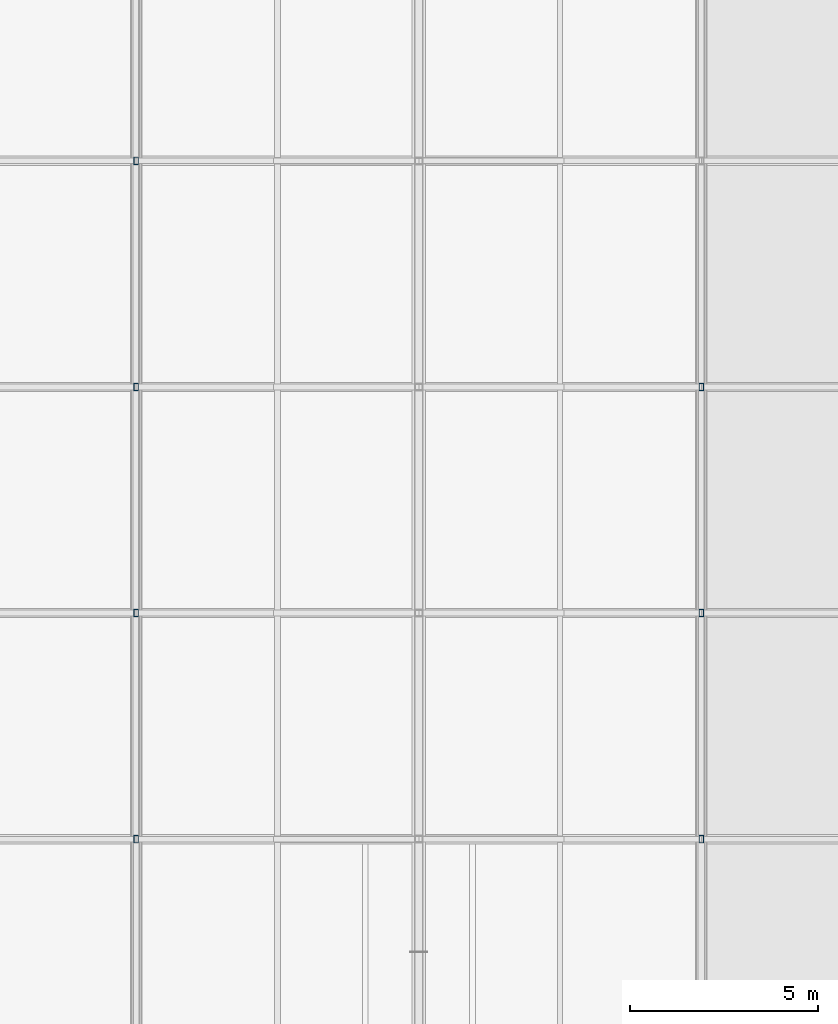
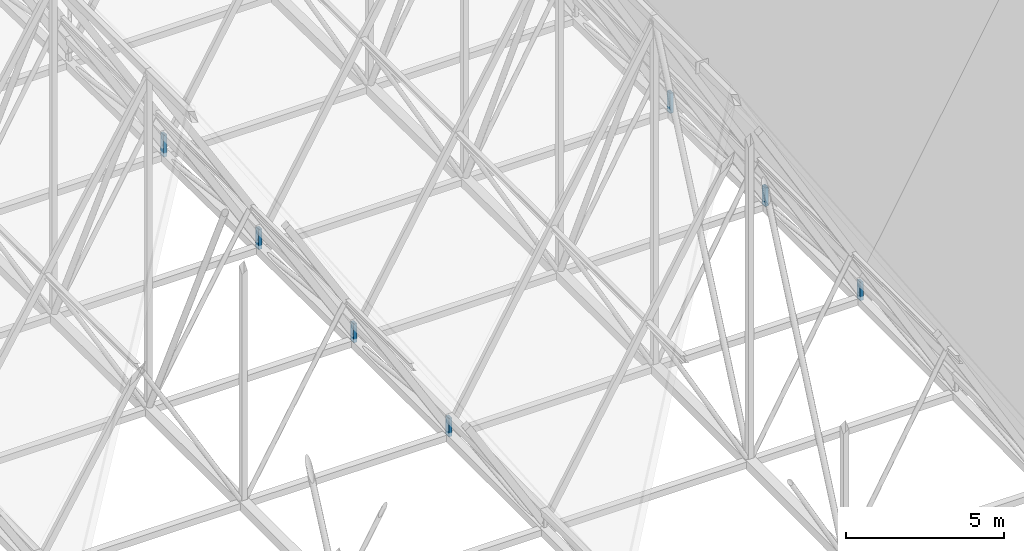
# One storey, part 254 of 324: 7 members.
"""IFC4 building model written with IfcOpenShell, lengths in metres."""

from ifc_helpers import new_model, si_unit, direction, frame, origin, origin_2d, place, context, subcontext, project, spatial, hollow_rectangle, extrude, material, material_profile, profile_set, type_object, element, save


model = new_model("IFC4")

# Units and contexts
model_context = context("Model", 3, precision=1e-05, world=origin(), true_north=direction((0.0, 1.0)))
body_context = subcontext(model_context, "Body", "Model", "MODEL_VIEW")
ifc_project = project(units=[si_unit("LENGTHUNIT", "METRE"), si_unit("AREAUNIT", "SQUARE_METRE"), si_unit("VOLUMEUNIT", "CUBIC_METRE"), si_unit("PLANEANGLEUNIT", "RADIAN"), si_unit("MASSUNIT", "GRAM", prefix="KILO")], contexts=[model_context])

# Site, building, storey
site_placement = place(None, origin())
site = spatial("IfcSite", under=ifc_project, at=site_placement, CompositionType="ELEMENT")
building_placement = place(site_placement, origin())
building = spatial("IfcBuilding", under=site, at=building_placement, Name="Solvenia Promenade Tram Depot", CompositionType="ELEMENT")
storey_placement = place(building_placement, frame((0.0, 0.0, 4.5)))
storey = spatial("IfcBuildingStorey", under=building, at=storey_placement, Name="L01", CompositionType="ELEMENT", Elevation=4.5)

# Members
ifc_material = material(Name="Structural steel ASTM A500 Gr. C", Category="steel")
ifc_material_profile = material_profile(ifc_material, hollow_rectangle(XDim=0.1201171875, YDim=0.199951171875, WallThickness=0.008056640625, at=origin_2d()), Name="HSS200x120x8", Category="steel")
ifc_profile_set = profile_set([ifc_material_profile], Name="Structural steel ASTM A500 Gr. C")
member_type = type_object("IfcMemberType", Name="Post-HSS200x120x8", PredefinedType="POST", material=ifc_profile_set)
member_1_placement = place(storey_placement, frame((45.0, 96.0, 2.669921875), z_axis=(0.0, 0.0, 1.0), x_axis=(1.0, 0.0, 0.0)))
element("IfcMember", 1, at=member_1_placement, inside=storey, type_object=member_type, Name="Arched Truss T07 Web Post S05", PredefinedType="POST", context=body_context, shape_type="SweptSolid", body=[
    extrude(hollow_rectangle(XDim=0.1201171875, YDim=0.199951171875, WallThickness=0.008056640625, at=origin_2d()), origin(), (0.0, 0.0, 1.0), 0.7099609375),
])
member_2_placement = place(storey_placement, frame((45.0, 102.0, 2.656005859375), z_axis=(0.0, 0.0, 1.0), x_axis=(1.0, 0.0, 0.0)))
element("IfcMember", 2, at=member_2_placement, inside=storey, type_object=member_type, Name="Arched Truss T07 Web Post S06", PredefinedType="POST", context=body_context, shape_type="SweptSolid", body=[
    extrude(hollow_rectangle(XDim=0.1201171875, YDim=0.199951171875, WallThickness=0.008056640625, at=origin_2d()), origin(), (0.0, 0.0, 1.0), 0.723876953125),
])
member_3_placement = place(storey_placement, frame((45.0, 108.0, 2.614013671875), z_axis=(0.0, 0.0, 1.0), x_axis=(1.0, 0.0, 0.0)))
element("IfcMember", 3, at=member_3_placement, inside=storey, type_object=member_type, Name="Arched Truss T07 Web Post S07", PredefinedType="POST", context=body_context, shape_type="SweptSolid", body=[
    extrude(hollow_rectangle(XDim=0.1201171875, YDim=0.199951171875, WallThickness=0.008056640625, at=origin_2d()), origin(), (0.0, 0.0, 1.0), 0.765869140625),
])
member_4_placement = place(storey_placement, frame((45.0, 114.0, 2.5439453125), z_axis=(0.0, 0.0, 1.0), x_axis=(1.0, 0.0, 0.0)))
element("IfcMember", 4, at=member_4_placement, inside=storey, type_object=member_type, Name="Arched Truss T07 Web Post S08", PredefinedType="POST", context=body_context, shape_type="SweptSolid", body=[
    extrude(hollow_rectangle(XDim=0.1201171875, YDim=0.199951171875, WallThickness=0.008056640625, at=origin_2d()), origin(), (0.0, 0.0, 1.0), 0.8359375),
])
member_5_placement = place(storey_placement, frame((60.0, 96.0, 2.669921875), z_axis=(0.0, 0.0, 1.0), x_axis=(1.0, 0.0, 0.0)))
element("IfcMember", 5, at=member_5_placement, inside=storey, type_object=member_type, Name="Arched Truss T09 Web Post S05", PredefinedType="POST", context=body_context, shape_type="SweptSolid", body=[
    extrude(hollow_rectangle(XDim=0.1201171875, YDim=0.199951171875, WallThickness=0.008056640625, at=origin_2d()), origin(), (0.0, 0.0, 1.0), 0.7099609375),
])
member_6_placement = place(storey_placement, frame((60.0, 102.0, 2.656005859375), z_axis=(0.0, 0.0, 1.0), x_axis=(1.0, 0.0, 0.0)))
element("IfcMember", 6, at=member_6_placement, inside=storey, type_object=member_type, Name="Arched Truss T09 Web Post S06", PredefinedType="POST", context=body_context, shape_type="SweptSolid", body=[
    extrude(hollow_rectangle(XDim=0.1201171875, YDim=0.199951171875, WallThickness=0.008056640625, at=origin_2d()), origin(), (0.0, 0.0, 1.0), 0.723876953125),
])
member_7_placement = place(storey_placement, frame((60.0, 108.0, 2.614013671875), z_axis=(0.0, 0.0, 1.0), x_axis=(1.0, 0.0, 0.0)))
element("IfcMember", 7, at=member_7_placement, inside=storey, type_object=member_type, Name="Arched Truss T09 Web Post S07", PredefinedType="POST", context=body_context, shape_type="SweptSolid", body=[
    extrude(hollow_rectangle(XDim=0.1201171875, YDim=0.199951171875, WallThickness=0.008056640625, at=origin_2d()), origin(), (0.0, 0.0, 1.0), 0.765869140625),
])

save(model, "model.ifc")
